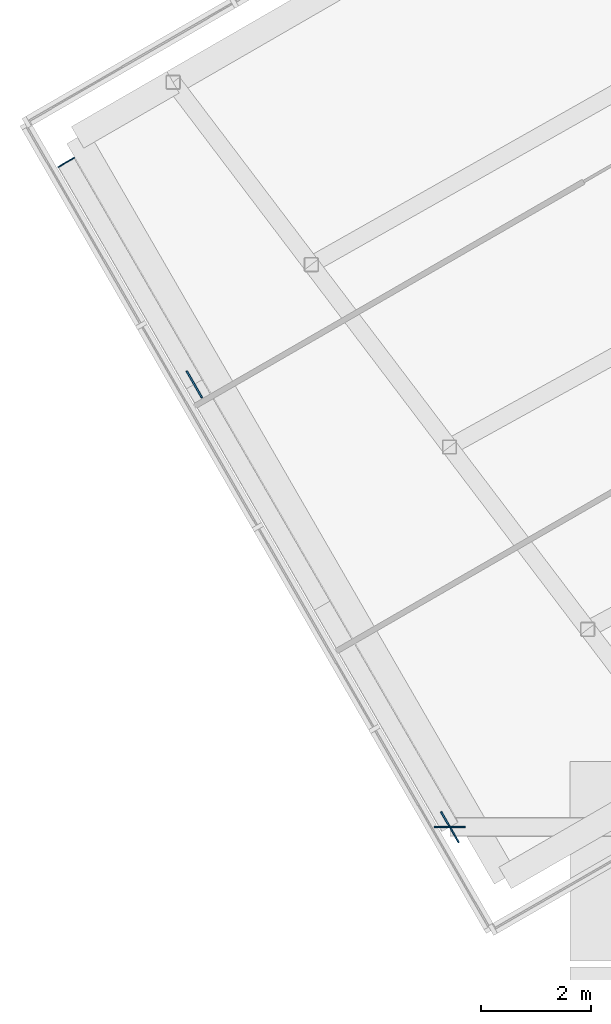
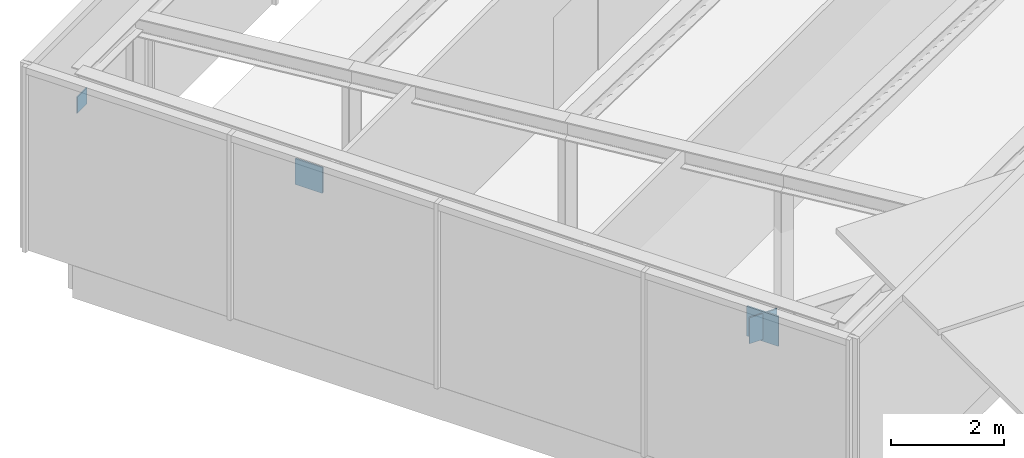
# One storey, part 23 of 27: 4 discrete accessories.
"""IFC4 building model written with IfcOpenShell, lengths in metres."""

from ifc_helpers import new_model, si_unit, direction, frame, origin, origin_2d, place, context, subcontext, project, spatial, rectangle, extrude, material, layer, layer_set, type_object, element, save


model = new_model("IFC4")

# Units and contexts
model_context = context("Model", 3, precision=1e-05, world=origin(), true_north=direction((0.0, 1.0)))
body_context = subcontext(model_context, "Body", "Model", "MODEL_VIEW")
ifc_project = project(units=[si_unit("LENGTHUNIT", "METRE"), si_unit("AREAUNIT", "SQUARE_METRE"), si_unit("VOLUMEUNIT", "CUBIC_METRE"), si_unit("PLANEANGLEUNIT", "RADIAN"), si_unit("MASSUNIT", "GRAM", prefix="KILO")], contexts=[model_context])

# Site, building, storey
site_placement = place(None, origin())
site = spatial("IfcSite", under=ifc_project, at=site_placement, CompositionType="ELEMENT")
building_placement = place(site_placement, origin())
building = spatial("IfcBuilding", under=site, at=building_placement, Name="Ayvan Gate Tower", CompositionType="ELEMENT")
storey_placement = place(building_placement, frame((0.0, 0.0, 194.699951171875)))
storey = spatial("IfcBuildingStorey", under=building, at=storey_placement, Name="L52", CompositionType="ELEMENT", Elevation=194.699951171875)

# Discrete accessories
ifc_material = material(Name="Steel S460ML", Category="steel")
ifc_layer_1 = layer(ifc_material, 0.030029296875)
ifc_layer_set_1 = layer_set([ifc_layer_1], Name="Steel S460ML")
discrete_accessory_type_1 = type_object("IfcDiscreteAccessoryType", Name="Gusset plate 30 mm", PredefinedType="BRACKET", material=ifc_layer_set_1)
discrete_accessory_1_placement = place(storey_placement, frame((-24.579833984375, 7.96337890625, 3.094970703125), z_axis=(0.0, 0.0, 1.0), x_axis=(1.0, 0.0, 0.0)))
element("IfcDiscreteAccessory", 1, at=discrete_accessory_1_placement, inside=storey, type_object=discrete_accessory_type_1, Name="Gusset plate SBX4-A-D-1", PredefinedType="BRACKET", context=body_context, shape_type="SweptSolid", body=[
    extrude(rectangle(XDim=0.56005859375, YDim=0.030029296875, at=origin_2d()), origin(), (0.0, 0.0, 1.0), 0.56005859375),
])
discrete_accessory_2_placement = place(storey_placement, frame((-24.579833984375, 7.96337890625, 3.052978515625), z_axis=(0.0, 0.0, 1.0), x_axis=(-0.5, 0.866025403784, 0.0)))
element("IfcDiscreteAccessory", 2, at=discrete_accessory_2_placement, inside=storey, type_object=discrete_accessory_type_1, Name="Gusset plate SBX4-A-D-2", PredefinedType="BRACKET", context=body_context, shape_type="SweptSolid", body=[
    extrude(rectangle(XDim=0.64404296875, YDim=0.030029296875, at=origin_2d()), origin(), (0.0, 0.0, 1.0), 0.64404296875),
])
discrete_accessory_3_placement = place(storey_placement, frame((-29.213134765625, 15.98876953125, 3.094970703125), z_axis=(0.0, 0.0, 1.0), x_axis=(-0.5, 0.866025403784, 0.0)))
element("IfcDiscreteAccessory", 3, at=discrete_accessory_3_placement, inside=storey, type_object=discrete_accessory_type_1, Name="Gusset plate SBX4-A-D-3", PredefinedType="BRACKET", context=body_context, shape_type="SweptSolid", body=[
    extrude(rectangle(XDim=0.56005859375, YDim=0.030029296875, at=origin_2d()), origin(), (0.0, 0.0, 1.0), 0.56005859375),
])
ifc_layer_2 = layer(ifc_material, 0.02001953125)
ifc_layer_set_2 = layer_set([ifc_layer_2], Name="Steel S460ML")
discrete_accessory_type_2 = type_object("IfcDiscreteAccessoryType", Name="Sky bar end cap plate", PredefinedType="BRACKET", material=ifc_layer_set_2)
discrete_accessory_4_placement = place(storey_placement, frame((-31.534912109375, 20.010009765625, 3.199951171875), z_axis=(0.0, 0.0, 1.0), x_axis=(-0.5, 0.866025403784, 0.0)))
element("IfcDiscreteAccessory", 4, at=discrete_accessory_4_placement, inside=storey, type_object=discrete_accessory_type_2, Name="End cap SBX4-A-TC-4:EC", PredefinedType="BRACKET", context=body_context, shape_type="SweptSolid", body=[
    extrude(rectangle(XDim=0.02001953125, YDim=0.35009765625, at=origin_2d()), origin(), (0.0, 0.0, 1.0), 0.35009765625),
])

save(model, "model.ifc")
